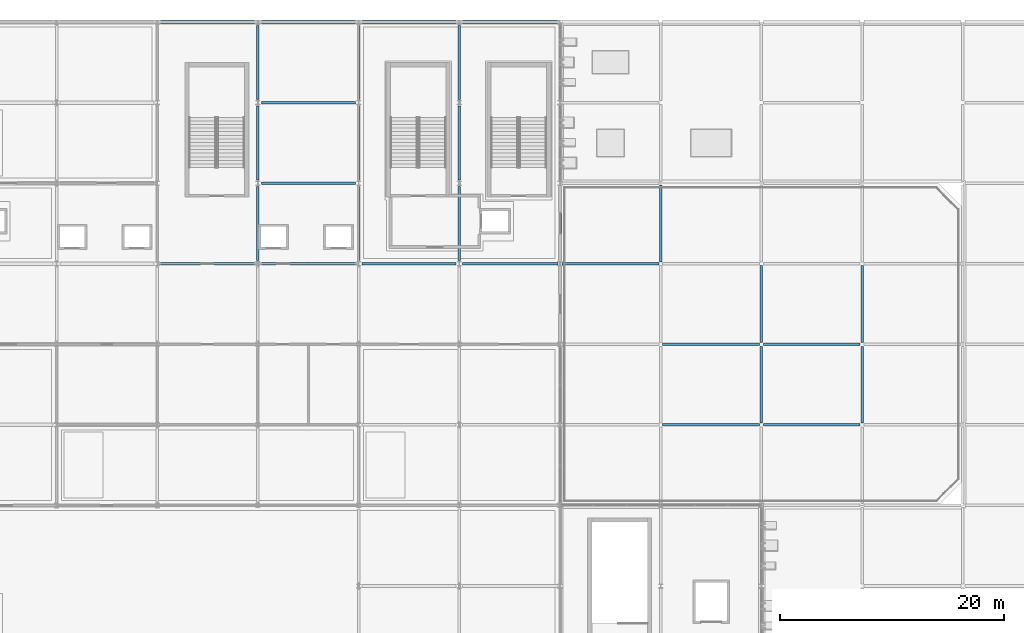
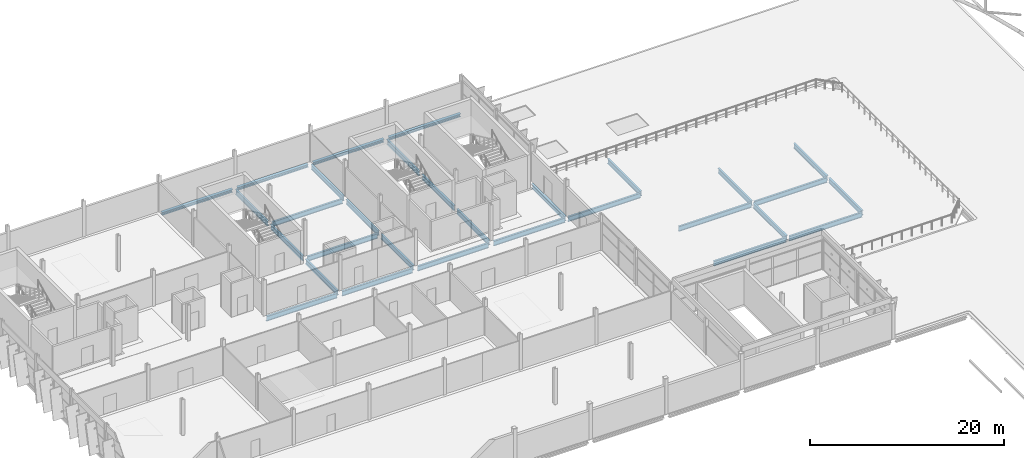
# One storey, part 39 of 78: 30 beams.
"""IFC4 building model written with IfcOpenShell, lengths in metres."""

import ifcopenshell
import ifcopenshell.guid

model = None  # the IFC model being written
_history = None  # IfcOwnerHistory: only IFC2X3 demands one
_inside = {}  # id of a spatial element -> (the spatial element, [elements in it])
_under = {}  # id of a project, library or spatial element -> (it, [spatial elements below it])
_declared = {}  # id of a project -> (the project, [libraries it declares])
_typed = {}  # id of a type object -> (the type object, [elements of that type])
_made_of = {}  # id of a material, layer set ... -> (it, [elements and type objects made of it])


def new_model(schema):
    """Start an empty IFC model of exactly this schema.

    Asked for "IFC4X3", IfcOpenShell would pick the latest addendum, in which some entities
    have other attributes; the version numbers below select the first issue.
    IFC2X3 requires an IfcOwnerHistory on every rooted entity: one is made here for all.
    """
    global model, _history
    if schema == "IFC4X3":
        model = ifcopenshell.file(schema_version=(4, 3, 0, 0))
    else:
        model = ifcopenshell.file(schema=schema)
    _inside.clear()
    _under.clear()
    _declared.clear()
    _typed.clear()
    _made_of.clear()
    _history = None
    if model.schema == "IFC2X3":
        org = make("IfcOrganization", Name="unknown")
        user = make(
            "IfcPersonAndOrganization",
            ThePerson=make("IfcPerson", FamilyName="unknown"),
            TheOrganization=org,
        )
        app = make(
            "IfcApplication",
            ApplicationDeveloper=org,
            Version="unknown",
            ApplicationFullName="unknown",
            ApplicationIdentifier="unknown",
        )
        _history = make(
            "IfcOwnerHistory",
            OwningUser=user,
            OwningApplication=app,
            ChangeAction="ADDED",
            CreationDate=0,
        )
    return model


def make(cls, **values):
    """One entity of the class cls with the attributes given. An attribute that is None is left unset."""
    return model.create_entity(
        cls, **{name: value for name, value in values.items() if value is not None}
    )


def rooted(cls, **values):
    """An entity with a GlobalId (a new one), such as an element, a storey or a relation."""
    return make(cls, GlobalId=ifcopenshell.guid.new(), OwnerHistory=_history, **values)


def si_unit(unit_type, name, prefix=None):
    """IfcSIUnit, for example si_unit("LENGTHUNIT", "METRE", prefix="MILLI")."""
    return make("IfcSIUnit", UnitType=unit_type, Prefix=prefix, Name=name)


def assignment(units):
    """IfcUnitAssignment: the units of a project."""
    return None if units is None else make("IfcUnitAssignment", Units=units)


def point(xyz):
    """IfcCartesianPoint."""
    return None if xyz is None else make("IfcCartesianPoint", Coordinates=xyz)


def direction(xyz):
    """IfcDirection."""
    return None if xyz is None else make("IfcDirection", DirectionRatios=xyz)


def frame(location, z_axis=None, x_axis=None):
    """IfcAxis2Placement3D, a coordinate frame: its origin and axes. An axis left out is left unset."""
    return make(
        "IfcAxis2Placement3D",
        Location=point(location),
        Axis=direction(z_axis),
        RefDirection=direction(x_axis),
    )


def frame_2d(location, x_axis=None):
    """IfcAxis2Placement2D, a coordinate frame in the plane: its origin and x axis."""
    return make(
        "IfcAxis2Placement2D", Location=point(location), RefDirection=direction(x_axis)
    )


def origin():
    """The frame at (0, 0, 0) with its axes left unset."""
    return frame((0.0, 0.0, 0.0))


def origin_2d():
    """The frame at (0, 0) in the plane with its x axis left unset."""
    return frame_2d((0.0, 0.0))


def place(relative_to, where):
    """IfcLocalPlacement: puts the frame where relative to a parent placement (None: the world)."""
    return make(
        "IfcLocalPlacement", PlacementRelTo=relative_to, RelativePlacement=where
    )


def context(
    kind, dimensions, precision=None, world=None, true_north=None, identifier=None
):
    """IfcGeometricRepresentationContext, for example the 3D "Model" context."""
    return make(
        "IfcGeometricRepresentationContext",
        ContextIdentifier=identifier,
        ContextType=kind,
        CoordinateSpaceDimension=dimensions,
        Precision=precision,
        WorldCoordinateSystem=world,
        TrueNorth=true_north,
    )


def subcontext(parent, identifier, kind, view, scale=None):
    """IfcGeometricRepresentationSubContext, for example "Body" below "Model"."""
    return make(
        "IfcGeometricRepresentationSubContext",
        ContextIdentifier=identifier,
        ContextType=kind,
        ParentContext=parent,
        TargetScale=scale,
        TargetView=view,
    )


def project(units=None, contexts=None):
    """IfcProject with its units and contexts."""
    return rooted(
        "IfcProject",
        Name="project",
        RepresentationContexts=contexts,
        UnitsInContext=assignment(units),
    )


def spatial(cls, under=None, at=None, **own):
    """A site, building, storey or space (cls), placed at a placement, below another one or the project."""
    s = rooted(cls, ObjectPlacement=at, **own)
    if under is not None:
        _under.setdefault(under.id(), (under, []))[1].append(s)
    return s


def profile(cls, at=None, kind="AREA", **sizes):
    """A parametric profile (cls). Its sizes go by their IFC names, for example OverallWidth=200.0."""
    return make(cls, ProfileType=kind, Position=at, **sizes)


def i_section(**sizes):
    """IfcIShapeProfileDef."""
    return profile("IfcIShapeProfileDef", **sizes)


def extrude(swept, where, along, depth):
    """IfcExtrudedAreaSolid: the profile swept, set in the frame where, extruded along a direction by depth."""
    return make(
        "IfcExtrudedAreaSolid",
        SweptArea=swept,
        Position=where,
        ExtrudedDirection=direction(along),
        Depth=depth,
    )


def shape(context_of_items, identifier, shape_type, items):
    """IfcShapeRepresentation: the items that make up one representation, for example the "Body"."""
    return make(
        "IfcShapeRepresentation",
        ContextOfItems=context_of_items,
        RepresentationIdentifier=identifier,
        RepresentationType=shape_type,
        Items=items,
    )


def material(Name=None, Category=None):
    """IfcMaterial."""
    return make("IfcMaterial", Name=Name, Category=Category)


def material_profile(
    of_material, cross_section, Name=None, Category=None, Priority=None
):
    """IfcMaterialProfile: a cross section and its material."""
    return make(
        "IfcMaterialProfile",
        Name=Name,
        Material=of_material,
        Profile=cross_section,
        Priority=Priority,
        Category=Category,
    )


def profile_set(profiles, Name=None, composite=None):
    """IfcMaterialProfileSet."""
    return make(
        "IfcMaterialProfileSet",
        Name=Name,
        MaterialProfiles=profiles,
        CompositeProfile=composite,
    )


def made_of(thing, what):
    """Note that an element or type object is made of a material, layer set ...; save() writes the relation."""
    if what is not None:
        _made_of.setdefault(what.id(), (what, []))[1].append(thing)
    return thing


def type_object(cls, material=None, **own):
    """A type object (cls), such as IfcWallType, which elements share."""
    return made_of(rooted(cls, **own), material)


def element(
    cls,
    number,
    at=None,
    inside=None,
    cuts=None,
    type_object=None,
    material=None,
    context=None,
    identifier="Body",
    shape_type=None,
    held_by="IfcProductDefinitionShape",
    body=None,
    shapes=None,
    **own,
):
    """One element of the class cls, such as IfcWall. Its Tag is "e" and its number.

    at: its placement. inside: the storey or other place that contains it. cuts: it is an
    opening in that element (IfcRelVoidsElement). A single representation is given by context,
    identifier, shape_type and body (its items); several are given by shapes. held_by: the class
    of the entity that holds the representations. save() writes the other relations.
    """
    e = rooted(cls, Tag="e%d" % number, ObjectPlacement=at, **own)
    if body is not None:
        shapes = [shape(context, identifier, shape_type, body)]
    if shapes is not None:
        e.Representation = make(held_by, Representations=shapes)
    if inside is not None:
        _inside.setdefault(inside.id(), (inside, []))[1].append(e)
    if cuts is not None:
        rooted(
            "IfcRelVoidsElement", RelatingBuildingElement=cuts, RelatedOpeningElement=e
        )
    if type_object is not None:
        _typed.setdefault(type_object.id(), (type_object, []))[1].append(e)
    return made_of(e, material)


def aggregate(whole, parts):
    """IfcRelAggregates: a whole, such as a stair, and the parts it consists of."""
    return rooted("IfcRelAggregates", RelatingObject=whole, RelatedObjects=parts)


def save(model, path):
    """Write the relations noted so far, then the file.

    IfcRelAggregates (storeys below a building ...), IfcRelContainedInSpatialStructure (elements
    in a storey), IfcRelDefinesByType, IfcRelAssociatesMaterial and IfcRelDeclares: one each for
    every whole, place, type object, material and project.
    """
    for whole, parts in _under.values():
        aggregate(whole, parts)
    for where, things in _inside.values():
        rooted(
            "IfcRelContainedInSpatialStructure",
            RelatedElements=things,
            RelatingStructure=where,
        )
    for kind, things in _typed.values():
        rooted("IfcRelDefinesByType", RelatedObjects=things, RelatingType=kind)
    for what, things in _made_of.values():
        rooted("IfcRelAssociatesMaterial", RelatedObjects=things, RelatingMaterial=what)
    for by, libraries in _declared.values():
        rooted("IfcRelDeclares", RelatingContext=by, RelatedDefinitions=libraries)
    model.write(path)


model = new_model("IFC4")

# Units and contexts
model_context = context("Model", 3, precision=1e-05, world=origin(), true_north=direction((0.0, 1.0)))
body_context = subcontext(model_context, "Body", "Model", "MODEL_VIEW")
ifc_project = project(units=[si_unit("LENGTHUNIT", "METRE"), si_unit("AREAUNIT", "SQUARE_METRE"), si_unit("VOLUMEUNIT", "CUBIC_METRE"), si_unit("PLANEANGLEUNIT", "RADIAN"), si_unit("MASSUNIT", "GRAM", prefix="KILO")], contexts=[model_context])

# Site, building, storey
site_placement = place(None, origin())
site = spatial("IfcSite", under=ifc_project, at=site_placement, CompositionType="ELEMENT")
building_placement = place(site_placement, origin())
building = spatial("IfcBuilding", under=site, at=building_placement, Name="Celestram Park Convention Centre", CompositionType="ELEMENT")
storey_placement = place(building_placement, frame((0.0, 0.0, 19.800048828125)))
storey = spatial("IfcBuildingStorey", under=building, at=storey_placement, Name="L04", CompositionType="ELEMENT", Elevation=19.800048828125)

# Beams
ifc_material = material(Name="Steel ASTM A992 Grade 50", Category="steel")
ifc_material_profile_1 = material_profile(ifc_material, i_section(OverallWidth=0.22900390625, OverallDepth=0.612060546875, WebThickness=0.011962890625, FlangeThickness=0.01953125, at=origin_2d()), Name="W24X84")
ifc_profile_set_1 = profile_set([ifc_material_profile_1], Name="Steel ASTM A992 Grade 50")
beam_type_1 = type_object("IfcBeamType", Name="STR-BM-W24X84", PredefinedType="BEAM", material=ifc_profile_set_1)
for number, where, z_axis, x_axis, name in (
    (1, (63.298095703125, 144.0, -0.55615234375), (1.0, 0.0, 0.0), (0.0, 1.0, 0.0), "Primary X-girder BG-L04-0052"),
    (2, (72.298095703125, 144.0, -0.55615234375), (1.0, 0.0, 0.0), (0.0, 1.0, 0.0), "Primary X-girder BG-L04-0064"),
):
    element("IfcBeam", number, at=place(storey_placement, frame(where, z_axis=z_axis, x_axis=x_axis)), inside=storey, type_object=beam_type_1, Name=name, PredefinedType="BEAM", context=body_context, shape_type="SweptSolid", body=[
        extrude(i_section(OverallWidth=0.22900390625, OverallDepth=0.612060546875, WebThickness=0.011962890625, FlangeThickness=0.01953125, at=origin_2d()), origin(), (0.0, 0.0, 1.0), 8.40380859375),
    ])
beam_1_placement = place(storey_placement, frame((72.0, 144.298095703125, -0.55615234375), z_axis=(0.0, 1.0, 0.0), x_axis=(-1.0, 0.0, 0.0)))
element("IfcBeam", 3, at=beam_1_placement, inside=storey, type_object=beam_type_1, Name="Primary Y-girder BG-L04-0065", PredefinedType="BEAM", context=body_context, shape_type="SweptSolid", body=[
    extrude(i_section(OverallWidth=0.22900390625, OverallDepth=0.612060546875, WebThickness=0.011962890625, FlangeThickness=0.01953125, at=origin_2d()), origin(), (0.0, 0.0, 1.0), 6.60400390625),
])
beam_2_placement = place(storey_placement, frame((72.298095703125, 151.199951171875, -0.55615234375), z_axis=(1.0, 0.0, 0.0), x_axis=(0.0, 1.0, 0.0)))
element("IfcBeam", 4, at=beam_2_placement, inside=storey, type_object=beam_type_1, Name="Primary X-girder BG-L04-0066", PredefinedType="BEAM", context=body_context, shape_type="SweptSolid", body=[
    extrude(i_section(OverallWidth=0.22900390625, OverallDepth=0.612060546875, WebThickness=0.011962890625, FlangeThickness=0.01953125, at=origin_2d()), origin(), (0.0, 0.0, 1.0), 8.40380859375),
])
beam_3_placement = place(storey_placement, frame((72.0, 151.498046875, -0.55615234375), z_axis=(0.0, 1.0, 0.0), x_axis=(-1.0, 0.0, 0.0)))
element("IfcBeam", 5, at=beam_3_placement, inside=storey, type_object=beam_type_1, Name="Primary Y-girder BG-L04-0067", PredefinedType="BEAM", context=body_context, shape_type="SweptSolid", body=[
    extrude(i_section(OverallWidth=0.22900390625, OverallDepth=0.612060546875, WebThickness=0.011962890625, FlangeThickness=0.01953125, at=origin_2d()), origin(), (0.0, 0.0, 1.0), 6.60400390625),
])
beam_4_placement = place(storey_placement, frame((72.298095703125, 158.39990234375, -0.55615234375), z_axis=(1.0, 0.0, 0.0), x_axis=(0.0, 1.0, 0.0)))
element("IfcBeam", 6, at=beam_4_placement, inside=storey, type_object=beam_type_1, Name="Primary X-girder BG-L04-0068", PredefinedType="BEAM", context=body_context, shape_type="SweptSolid", body=[
    extrude(i_section(OverallWidth=0.22900390625, OverallDepth=0.612060546875, WebThickness=0.011962890625, FlangeThickness=0.01953125, at=origin_2d()), origin(), (0.0, 0.0, 1.0), 8.40380859375),
])
beam_5_placement = place(storey_placement, frame((72.0, 158.697998046875, -0.55615234375), z_axis=(0.0, 1.0, 0.0), x_axis=(-1.0, 0.0, 0.0)))
element("IfcBeam", 7, at=beam_5_placement, inside=storey, type_object=beam_type_1, Name="Primary Y-girder BG-L04-0069", PredefinedType="BEAM", context=body_context, shape_type="SweptSolid", body=[
    extrude(i_section(OverallWidth=0.22900390625, OverallDepth=0.612060546875, WebThickness=0.011962890625, FlangeThickness=0.01953125, at=origin_2d()), origin(), (0.0, 0.0, 1.0), 6.60400390625),
])
beam_6_placement = place(storey_placement, frame((81.298095703125, 144.0, -0.55615234375), z_axis=(1.0, 0.0, 0.0), x_axis=(0.0, 1.0, 0.0)))
element("IfcBeam", 8, at=beam_6_placement, inside=storey, type_object=beam_type_1, Name="Primary X-girder BG-L04-0081", PredefinedType="BEAM", context=body_context, shape_type="SweptSolid", body=[
    extrude(i_section(OverallWidth=0.22900390625, OverallDepth=0.612060546875, WebThickness=0.011962890625, FlangeThickness=0.01953125, at=origin_2d()), origin(), (0.0, 0.0, 1.0), 8.40380859375),
])
for number, where, z_axis, x_axis, name in (
    (9, (81.0, 144.298095703125, -0.55615234375), (0.0, 1.0, 0.0), (-1.0, 0.0, 0.0), "Primary Y-girder BG-L04-0082"),
    (10, (81.0, 151.498046875, -0.55615234375), (0.0, 1.0, 0.0), (-1.0, 0.0, 0.0), "Primary Y-girder BG-L04-0083"),
    (11, (81.0, 158.697998046875, -0.55615234375), (0.0, 1.0, 0.0), (-1.0, 0.0, 0.0), "Primary Y-girder BG-L04-0084"),
):
    element("IfcBeam", number, at=place(storey_placement, frame(where, z_axis=z_axis, x_axis=x_axis)), inside=storey, type_object=beam_type_1, Name=name, PredefinedType="BEAM", context=body_context, shape_type="SweptSolid", body=[
        extrude(i_section(OverallWidth=0.22900390625, OverallDepth=0.612060546875, WebThickness=0.011962890625, FlangeThickness=0.01953125, at=origin_2d()), origin(), (0.0, 0.0, 1.0), 6.60400390625),
    ])
beam_7_placement = place(storey_placement, frame((90.298095703125, 144.0, -0.55615234375), z_axis=(1.0, 0.0, 0.0), x_axis=(0.0, 1.0, 0.0)))
element("IfcBeam", 12, at=beam_7_placement, inside=storey, type_object=beam_type_1, Name="Primary X-girder BG-L04-0096", PredefinedType="BEAM", context=body_context, shape_type="SweptSolid", body=[
    extrude(i_section(OverallWidth=0.22900390625, OverallDepth=0.612060546875, WebThickness=0.011962890625, FlangeThickness=0.01953125, at=origin_2d()), origin(), (0.0, 0.0, 1.0), 8.52880859375),
])
for number, where, z_axis, x_axis, name in (
    (13, (90.0, 144.298095703125, -0.55615234375), (0.0, 1.0, 0.0), (-1.0, 0.0, 0.0), "Primary Y-girder BG-L04-0097"),
    (14, (90.0, 151.498046875, -0.55615234375), (0.0, 1.0, 0.0), (-1.0, 0.0, 0.0), "Primary Y-girder BG-L04-0098"),
    (15, (90.0, 158.697998046875, -0.55615234375), (0.0, 1.0, 0.0), (-1.0, 0.0, 0.0), "Primary Y-girder BG-L04-0099"),
):
    element("IfcBeam", number, at=place(storey_placement, frame(where, z_axis=z_axis, x_axis=x_axis)), inside=storey, type_object=beam_type_1, Name=name, PredefinedType="BEAM", context=body_context, shape_type="SweptSolid", body=[
        extrude(i_section(OverallWidth=0.22900390625, OverallDepth=0.612060546875, WebThickness=0.011962890625, FlangeThickness=0.01953125, at=origin_2d()), origin(), (0.0, 0.0, 1.0), 6.60400390625),
    ])
beam_8_placement = place(storey_placement, frame((99.173095703125, 144.0, -0.60595703125), z_axis=(1.0, 0.0, 0.0), x_axis=(0.0, 1.0, 0.0)))
element("IfcBeam", 16, at=beam_8_placement, inside=storey, type_object=beam_type_1, Name="Primary X-girder BG-L04-0110", PredefinedType="BEAM", context=body_context, shape_type="SweptSolid", body=[
    extrude(i_section(OverallWidth=0.22900390625, OverallDepth=0.612060546875, WebThickness=0.011962890625, FlangeThickness=0.01953125, at=origin_2d()), origin(), (0.0, 0.0, 1.0), 8.65380859375),
])
beam_9_placement = place(storey_placement, frame((99.0, 144.173095703125, -0.60595703125), z_axis=(0.0, 1.0, 0.0), x_axis=(-1.0, 0.0, 0.0)))
element("IfcBeam", 17, at=beam_9_placement, inside=storey, type_object=beam_type_1, Name="Primary Y-girder BG-L04-0111", PredefinedType="BEAM", context=body_context, shape_type="SweptSolid", body=[
    extrude(i_section(OverallWidth=0.22900390625, OverallDepth=0.612060546875, WebThickness=0.011962890625, FlangeThickness=0.01953125, at=origin_2d()), origin(), (0.0, 0.0, 1.0), 6.85400390625),
])
for number, where, z_axis, x_axis, name in (
    (18, (108.173095703125, 129.60009765625, -0.60595703125), (1.0, 0.0, 0.0), (0.0, 1.0, 0.0), "Primary X-girder BG-L04-0122"),
    (19, (108.173095703125, 136.800048828125, -0.60595703125), (1.0, 0.0, 0.0), (0.0, 1.0, 0.0), "Primary X-girder BG-L04-0124"),
):
    element("IfcBeam", number, at=place(storey_placement, frame(where, z_axis=z_axis, x_axis=x_axis)), inside=storey, type_object=beam_type_1, Name=name, PredefinedType="BEAM", context=body_context, shape_type="SweptSolid", body=[
        extrude(i_section(OverallWidth=0.22900390625, OverallDepth=0.612060546875, WebThickness=0.011962890625, FlangeThickness=0.01953125, at=origin_2d()), origin(), (0.0, 0.0, 1.0), 8.65380859375),
    ])
beam_10_placement = place(storey_placement, frame((108.0, 144.173095703125, -0.60595703125), z_axis=(0.0, 1.0, 0.0), x_axis=(-1.0, 0.0, 0.0)))
element("IfcBeam", 20, at=beam_10_placement, inside=storey, type_object=beam_type_1, Name="Primary Y-girder BG-L04-0127", PredefinedType="BEAM", context=body_context, shape_type="SweptSolid", body=[
    extrude(i_section(OverallWidth=0.22900390625, OverallDepth=0.612060546875, WebThickness=0.011962890625, FlangeThickness=0.01953125, at=origin_2d()), origin(), (0.0, 0.0, 1.0), 6.85400390625),
])
beam_11_placement = place(storey_placement, frame((117.173095703125, 129.60009765625, -0.60595703125), z_axis=(1.0, 0.0, 0.0), x_axis=(0.0, 1.0, 0.0)))
element("IfcBeam", 21, at=beam_11_placement, inside=storey, type_object=beam_type_1, Name="Primary X-girder BG-L04-0136", PredefinedType="BEAM", context=body_context, shape_type="SweptSolid", body=[
    extrude(i_section(OverallWidth=0.22900390625, OverallDepth=0.612060546875, WebThickness=0.011962890625, FlangeThickness=0.01953125, at=origin_2d()), origin(), (0.0, 0.0, 1.0), 8.65380859375),
])
beam_12_placement = place(storey_placement, frame((117.0, 129.77294921875, -0.60595703125), z_axis=(0.0, 1.0, 0.0), x_axis=(-1.0, 0.0, 0.0)))
element("IfcBeam", 22, at=beam_12_placement, inside=storey, type_object=beam_type_1, Name="Primary Y-girder BG-L04-0137", PredefinedType="BEAM", context=body_context, shape_type="SweptSolid", body=[
    extrude(i_section(OverallWidth=0.22900390625, OverallDepth=0.612060546875, WebThickness=0.011962890625, FlangeThickness=0.01953125, at=origin_2d()), origin(), (0.0, 0.0, 1.0), 6.85400390625),
])
beam_13_placement = place(storey_placement, frame((117.173095703125, 136.800048828125, -0.60595703125), z_axis=(1.0, 0.0, 0.0), x_axis=(0.0, 1.0, 0.0)))
element("IfcBeam", 23, at=beam_13_placement, inside=storey, type_object=beam_type_1, Name="Primary X-girder BG-L04-0138", PredefinedType="BEAM", context=body_context, shape_type="SweptSolid", body=[
    extrude(i_section(OverallWidth=0.22900390625, OverallDepth=0.612060546875, WebThickness=0.011962890625, FlangeThickness=0.01953125, at=origin_2d()), origin(), (0.0, 0.0, 1.0), 8.65380859375),
])
for number, where, z_axis, x_axis, name in (
    (24, (117.0, 136.972900390625, -0.60595703125), (0.0, 1.0, 0.0), (-1.0, 0.0, 0.0), "Primary Y-girder BG-L04-0139"),
    (25, (126.0, 129.77294921875, -0.60595703125), (0.0, 1.0, 0.0), (-1.0, 0.0, 0.0), "Primary Y-girder BG-L04-0169"),
    (26, (126.0, 136.972900390625, -0.60595703125), (0.0, 1.0, 0.0), (-1.0, 0.0, 0.0), "Primary Y-girder BG-L04-0171"),
):
    element("IfcBeam", number, at=place(storey_placement, frame(where, z_axis=z_axis, x_axis=x_axis)), inside=storey, type_object=beam_type_1, Name=name, PredefinedType="BEAM", context=body_context, shape_type="SweptSolid", body=[
        extrude(i_section(OverallWidth=0.22900390625, OverallDepth=0.612060546875, WebThickness=0.011962890625, FlangeThickness=0.01953125, at=origin_2d()), origin(), (0.0, 0.0, 1.0), 6.85400390625),
    ])
ifc_material_profile_2 = material_profile(ifc_material, i_section(OverallWidth=0.367919921875, OverallDepth=0.35595703125, WebThickness=0.01123046875, FlangeThickness=0.01806640625, at=origin_2d()), Name="W14X90")
ifc_profile_set_2 = profile_set([ifc_material_profile_2], Name="Steel ASTM A992 Grade 50")
beam_type_2 = type_object("IfcBeamType", Name="STR-SPN-W14X90", PredefinedType="SPANDREL", material=ifc_profile_set_2)
for number, where, z_axis, x_axis, name in (
    (27, (63.298095703125, 165.60009765625, -0.427978515625), (1.0, 0.0, 0.0), (0.0, 1.0, 0.0), "Primary X-girder BG-L04-0056"),
    (28, (72.298095703125, 165.60009765625, -0.427978515625), (1.0, 0.0, 0.0), (0.0, 1.0, 0.0), "Primary X-girder BG-L04-0070"),
    (29, (81.298095703125, 165.60009765625, -0.427978515625), (1.0, 0.0, 0.0), (0.0, 1.0, 0.0), "Primary X-girder BG-L04-0085"),
):
    element("IfcBeam", number, at=place(storey_placement, frame(where, z_axis=z_axis, x_axis=x_axis)), inside=storey, type_object=beam_type_2, Name=name, PredefinedType="SPANDREL", context=body_context, shape_type="SweptSolid", body=[
        extrude(i_section(OverallWidth=0.367919921875, OverallDepth=0.35595703125, WebThickness=0.01123046875, FlangeThickness=0.01806640625, at=origin_2d()), origin(), (0.0, 0.0, 1.0), 8.40380859375),
    ])
beam_14_placement = place(storey_placement, frame((90.298095703125, 165.60009765625, -0.427978515625), z_axis=(1.0, 0.0, 0.0), x_axis=(0.0, 1.0, 0.0)))
element("IfcBeam", 30, at=beam_14_placement, inside=storey, type_object=beam_type_2, Name="Primary X-girder BG-L04-0100", PredefinedType="SPANDREL", context=body_context, shape_type="SweptSolid", body=[
    extrude(i_section(OverallWidth=0.367919921875, OverallDepth=0.35595703125, WebThickness=0.01123046875, FlangeThickness=0.01806640625, at=origin_2d()), origin(), (0.0, 0.0, 1.0), 8.52880859375),
])

save(model, "model.ifc")
